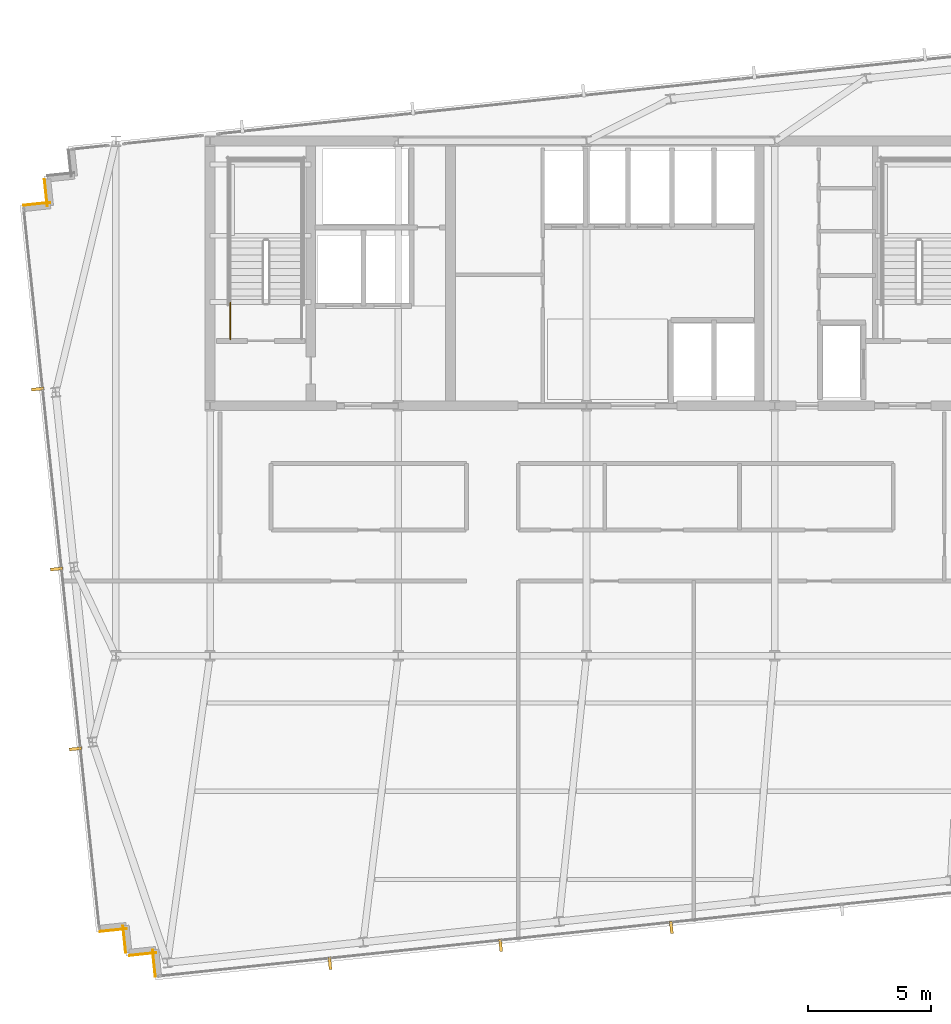
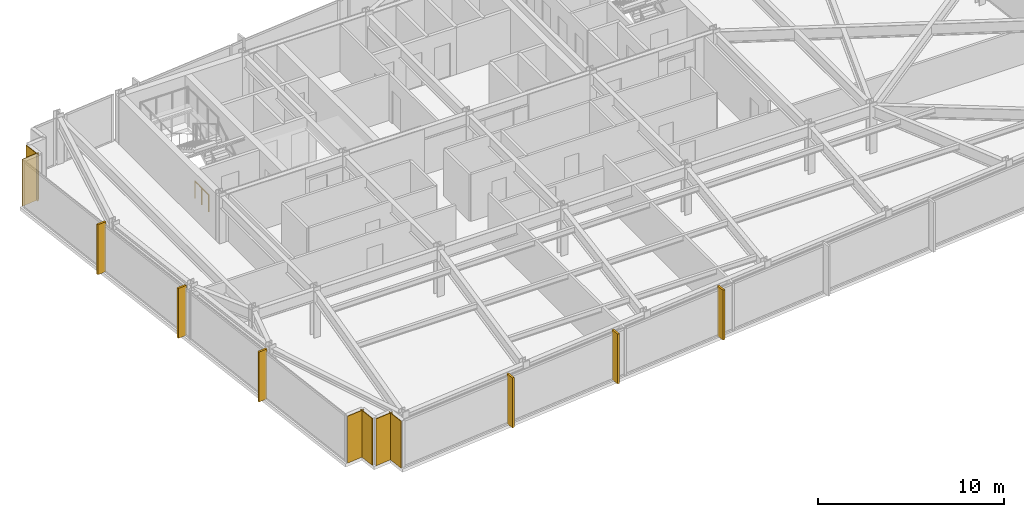
# One storey, part 29 of 32: 6 coverings, 6 shading devices, 1 railing.
"""IFC4 building model written with IfcOpenShell, lengths in metres."""

from ifc_helpers import new_model, si_unit, direction, frame, frame_2d, origin, origin_2d, place, context, subcontext, project, spatial, rectangle, circle, extrude, material, layer, layer_set, type_object, element, save


model = new_model("IFC4")

# Units and contexts
model_context = context("Model", 3, precision=1e-05, world=origin(), true_north=direction((0.0, 1.0)))
body_context = subcontext(model_context, "Body", "Model", "MODEL_VIEW")
ifc_project = project(units=[si_unit("LENGTHUNIT", "METRE"), si_unit("AREAUNIT", "SQUARE_METRE"), si_unit("VOLUMEUNIT", "CUBIC_METRE"), si_unit("PLANEANGLEUNIT", "RADIAN"), si_unit("MASSUNIT", "GRAM", prefix="KILO")], contexts=[model_context])

# Site, building, storey
site_placement = place(None, origin())
site = spatial("IfcSite", under=ifc_project, at=site_placement, CompositionType="ELEMENT")
building_placement = place(site_placement, origin())
building = spatial("IfcBuilding", under=site, at=building_placement, Name="Yelkora Congress Tower", CompositionType="ELEMENT")
storey_placement = place(building_placement, frame((0.0, 0.0, 207.800048828125)))
storey = spatial("IfcBuildingStorey", under=building, at=storey_placement, Name="L57", CompositionType="ELEMENT", Elevation=207.800048828125)

# Coverings
ifc_material_1 = material(Name="Anatolian bush-hammered limestone", Category="masonry")
ifc_layer_1 = layer(ifc_material_1, 0.0400390625)
ifc_layer_set_1 = layer_set([ifc_layer_1], Name="Anatolian bush-hammered limestone")
covering_type = type_object("IfcCoveringType", Name="COV-CLAD-SPANDREL-40", PredefinedType="CLADDING", material=ifc_layer_set_1)
covering_1_placement = place(storey_placement, frame((20.810302734375, 12.114501953125, 0.0), z_axis=(0.0, 0.0, 1.0), x_axis=(-0.104557671117, 0.994518825066, 0.0)))
element("IfcCovering", 1, at=covering_1_placement, inside=storey, type_object=covering_type, Name="L57 Anatolian Limestone Cladding EW-L57-SR01", PredefinedType="CLADDING", context=body_context, shape_type="SweptSolid", body=[
    extrude(rectangle(XDim=1.099853515625, YDim=0.0400390625, at=frame_2d((0.5498046875, 0.0))), origin(), (0.0, 0.0, 1.0), 3.079833984375),
])
for number, where, z_axis, x_axis, name in (
    (2, (20.84375, 13.088134765625, 0.0), (0.0, 0.0, 1.0), (-0.994521251134, -0.104534592565, 0.0), "L57 Anatolian Limestone Cladding EW-L57-SR02"),
    (3, (19.601318359375, 13.09326171875, 0.0), (0.0, 0.0, 1.0), (-0.104534592565, 0.994521251134, 0.0), "L57 Anatolian Limestone Cladding EW-L57-SR03"),
    (4, (19.634765625, 14.067138671875, 0.0), (0.0, 0.0, 1.0), (-0.994521251134, -0.104534592565, 0.0), "L57 Anatolian Limestone Cladding EW-L57-SR04"),
):
    element("IfcCovering", number, at=place(storey_placement, frame(where, z_axis=z_axis, x_axis=x_axis)), inside=storey, type_object=covering_type, Name=name, PredefinedType="CLADDING", context=body_context, shape_type="SweptSolid", body=[
        extrude(rectangle(XDim=1.10009765625, YDim=0.0400390625, at=frame_2d((0.550048828125, 0.0))), origin(), (0.0, 0.0, 1.0), 3.079833984375),
    ])
covering_2_placement = place(storey_placement, frame((15.427001953125, 43.5791015625, 0.0), z_axis=(0.0, 0.0, 1.0), x_axis=(0.994518825066, 0.104557671117, 0.0)))
element("IfcCovering", 5, at=covering_2_placement, inside=storey, type_object=covering_type, Name="L57 Anatolian Limestone Cladding EW-L57-SR06", PredefinedType="CLADDING", context=body_context, shape_type="SweptSolid", body=[
    extrude(rectangle(XDim=1.099853515625, YDim=0.0400390625, at=frame_2d((0.5498046875, 0.0))), origin(), (0.0, 0.0, 1.0), 3.079833984375),
])
covering_3_placement = place(storey_placement, frame((16.400634765625, 43.545654296875, 0.0), z_axis=(0.0, 0.0, 1.0), x_axis=(-0.104315068386, 0.994544300928, 0.0)))
element("IfcCovering", 6, at=covering_3_placement, inside=storey, type_object=covering_type, Name="L57 Anatolian Limestone Cladding EW-L57-SR07", PredefinedType="CLADDING", context=body_context, shape_type="SweptSolid", body=[
    extrude(rectangle(XDim=1.10009765625, YDim=0.0400390625, at=frame_2d((0.550048828125, 0.0))), origin(), (0.0, 0.0, 1.0), 3.079833984375),
])

# Railing
ifc_material_2 = material(Name="Painted galvanised steel stair well guard with vertical infill", Category="steel")
ifc_layer_2 = layer(ifc_material_2, 0.06005859375)
ifc_layer_set_2 = layer_set([ifc_layer_2], Name="Painted galvanised steel stair well guard with vertical infill")
railing_type = type_object("IfcRailingType", Name="RAIL-STAIR-GUARD-1120", PredefinedType="GUARDRAIL", material=ifc_layer_set_2)
railing_placement = place(storey_placement, frame((23.8701171875, 38.1201171875, 0.0)))
element("IfcRailing", 7, at=railing_placement, inside=storey, type_object=railing_type, Name="ST-01 L57 Stair Well Guardrail 9", PredefinedType="GUARDRAIL", context=body_context, shape_type="SweptSolid", body=[
    extrude(circle(Radius=0.02392578125, at=origin_2d()), frame((0.0, 0.0, 1.09619140625), z_axis=(0.0, 1.0, 0.0), x_axis=(-1.0, 0.0, 0.0)), (0.0, 0.0, 1.0), 1.47998046875),
    extrude(circle(Radius=0.02099609375, at=origin_2d()), origin(), (0.0, 0.0, 1.0), 1.072021484375),
    extrude(circle(Radius=0.02099609375, at=origin_2d()), frame((0.0, 0.739990234375, 0.0)), (0.0, 0.0, 1.0), 1.072021484375),
    extrude(circle(Radius=0.02099609375, at=origin_2d()), frame((0.0, 1.47998046875, 0.0)), (0.0, 0.0, 1.0), 1.072021484375),
])

# Shading devices
ifc_material_3 = material(Name="Champagne anodised aluminium", Category="aluminium")
ifc_layer_3 = layer(ifc_material_3, 3.300048828125)
ifc_layer_set_3 = layer_set([ifc_layer_3], Name="Champagne anodised aluminium")
shading_device_type = type_object("IfcShadingDeviceType", Name="SHD-FIN-ALU-520", PredefinedType="USERDEFINED", material=ifc_layer_set_3)
for number, where, z_axis, x_axis, name in (
    (8, (17.556396484375, 21.405029296875, -0.0302734375), (0.0, 0.0, 1.0), (-0.104528463268, 0.994521895368, 0.0), "L57 Vertical Anodised Solar Fin 5-1"),
    (9, (16.784912109375, 28.74462890625, -0.0302734375), (0.0, 0.0, 1.0), (-0.104528463268, 0.994521895368, 0.0), "L57 Vertical Anodised Solar Fin 5-2"),
    (10, (16.013671875, 36.084228515625, -0.0302734375), (0.0, 0.0, 1.0), (-0.104528463268, 0.994521895368, 0.0), "L57 Vertical Anodised Solar Fin 5-3"),
    (11, (41.85888671875, 14.12548828125, -0.0302734375), (0.0, 0.0, 1.0), (-0.994521895368, -0.104528463268, 0.0), "L57 Vertical Anodised Solar Fin 20-4"),
    (12, (34.89453125, 13.3935546875, -0.0302734375), (0.0, 0.0, 1.0), (-0.994521895368, -0.104528463268, 0.0), "L57 Vertical Anodised Solar Fin 20-5"),
    (13, (27.929931640625, 12.66162109375, -0.0302734375), (0.0, 0.0, 1.0), (-0.994521895368, -0.104528463268, 0.0), "L57 Vertical Anodised Solar Fin 20-6"),
):
    element("IfcShadingDevice", number, at=place(storey_placement, frame(where, z_axis=z_axis, x_axis=x_axis)), inside=storey, type_object=shading_device_type, Name=name, ObjectType="FIN", PredefinedType="USERDEFINED", context=body_context, shape_type="SweptSolid", body=[
        extrude(rectangle(XDim=0.1201171875, YDim=0.52001953125, at=origin_2d()), origin(), (0.0, 0.0, 1.0), 3.280029296875),
    ])

save(model, "model.ifc")
